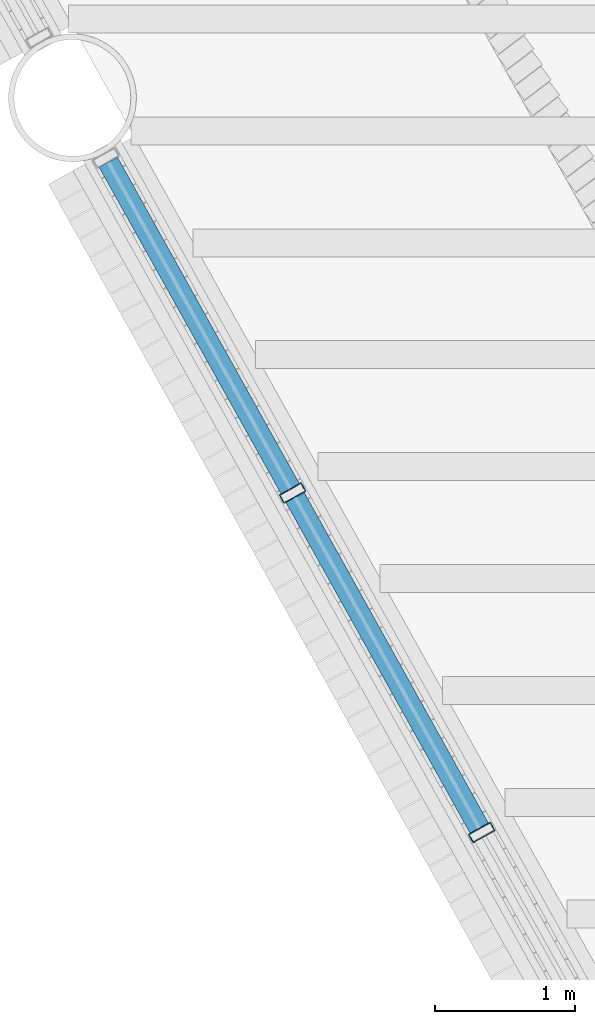
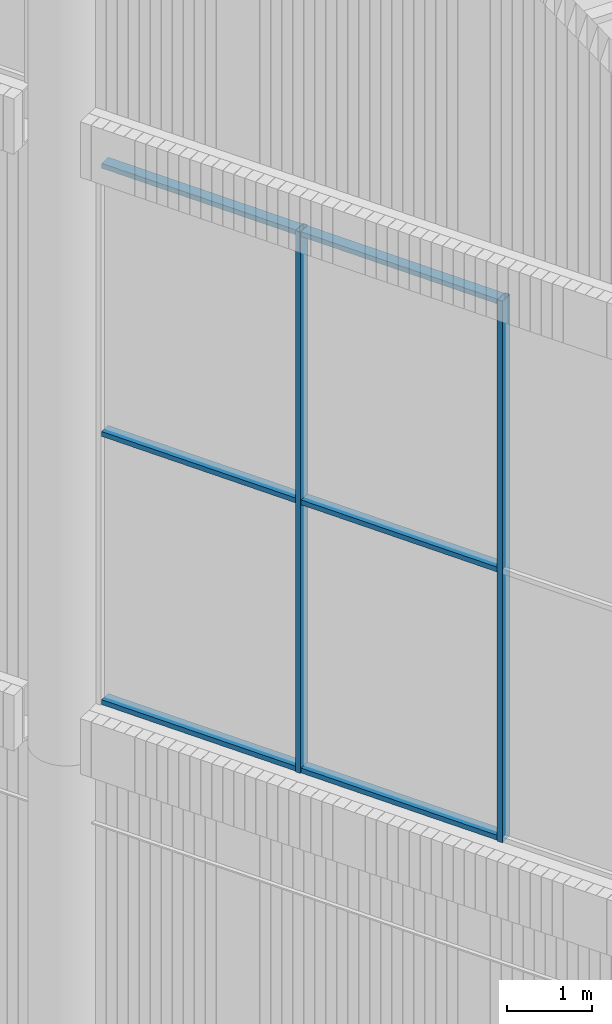
# One storey, part 6 of 117: 8 members, 1 element without a shape of its own.
"""IFC4 building model written with IfcOpenShell, lengths in metres."""

from ifc_helpers import new_model, si_unit, direction, frame, origin, origin_2d, place, context, subcontext, project, spatial, hollow_rectangle, extrude, material, layer, layer_set, material_profile, profile_set, type_object, element, aggregate, save


model = new_model("IFC4")

# Units and contexts
model_context = context("Model", 3, precision=1e-05, world=origin(), true_north=direction((0.0, 1.0)))
body_context = subcontext(model_context, "Body", "Model", "MODEL_VIEW")
ifc_project = project(units=[si_unit("LENGTHUNIT", "METRE"), si_unit("AREAUNIT", "SQUARE_METRE"), si_unit("VOLUMEUNIT", "CUBIC_METRE"), si_unit("PLANEANGLEUNIT", "RADIAN"), si_unit("MASSUNIT", "GRAM", prefix="KILO")], contexts=[model_context])

# Site, building, storey
site_placement = place(None, origin())
site = spatial("IfcSite", under=ifc_project, at=site_placement, CompositionType="ELEMENT")
building_placement = place(site_placement, origin())
building = spatial("IfcBuilding", under=site, at=building_placement, Name="Tarsis Ring Headquarters", CompositionType="ELEMENT")
storey_placement = place(building_placement, frame((0.0, 0.0, 403.60009765625)))
storey = spatial("IfcBuildingStorey", under=building, at=storey_placement, Name="L95", CompositionType="ELEMENT", Elevation=403.60009765625)

# Curtain wall, members
ifc_material_1 = material(Name="Aluminium curtain wall", Category="aluminium")
ifc_layer = layer(ifc_material_1, 0.179931640625)
ifc_layer_set = layer_set([ifc_layer], Name="Curtain wall crown glazing")
curtain_wall_type = type_object("IfcCurtainWallType", Name="Curtain wall crown glazing", PredefinedType="NOTDEFINED", material=ifc_layer_set)
curtain_wall_placement = place(storey_placement, origin())
curtain_wall = element("IfcCurtainWall", 1, at=curtain_wall_placement, inside=storey, type_object=curtain_wall_type, Name="Crown glazing L17", PredefinedType="NOTDEFINED")
ifc_material_2 = material(Name="Aluminium mullion", Category="aluminium")
ifc_material_profile_1 = material_profile(ifc_material_2, hollow_rectangle(XDim=0.179931640625, YDim=0.070068359375, WallThickness=0.0048828125, at=origin_2d()), Name="RHS 180x70x5")
ifc_profile_set_1 = profile_set([ifc_material_profile_1], Name="Aluminium mullion")
member_type_1 = type_object("IfcMemberType", Name="Crown glazing mullion RHS 180x70x5", PredefinedType="MULLION", material=ifc_profile_set_1)
member_1_placement = place(storey_placement, frame((-35.81640625, -23.653564453125, 5.7998046875), z_axis=(0.0, 0.0, 1.0), x_axis=(0.873602422445, 0.486640326625, 0.0)))
member_1 = element("IfcMember", 2, at=member_1_placement, type_object=member_type_1, Name="CW-C mullion 2", PredefinedType="MULLION", context=body_context, shape_type="SweptSolid", body=[
    extrude(hollow_rectangle(XDim=0.179931640625, YDim=0.070068359375, WallThickness=0.0048828125, at=origin_2d()), origin(), (0.0, 0.0, 1.0), 7.800048828125),
])
member_2_placement = place(storey_placement, frame((-34.46484375, -26.079833984375, 5.7998046875), z_axis=(0.0, 0.0, 1.0), x_axis=(0.873602422445, 0.486640326625, 0.0)))
member_2 = element("IfcMember", 3, at=member_2_placement, type_object=member_type_1, Name="CW-C mullion 3", PredefinedType="MULLION", context=body_context, shape_type="SweptSolid", body=[
    extrude(hollow_rectangle(XDim=0.179931640625, YDim=0.070068359375, WallThickness=0.0048828125, at=origin_2d()), origin(), (0.0, 0.0, 1.0), 7.800048828125),
])
ifc_material_3 = material(Name="Aluminium transom", Category="aluminium")
ifc_material_profile_2 = material_profile(ifc_material_3, hollow_rectangle(XDim=0.14990234375, YDim=0.070068359375, WallThickness=0.0048828125, at=origin_2d()), Name="RHS 150x70x5")
ifc_profile_set_2 = profile_set([ifc_material_profile_2], Name="Aluminium transom")
member_type_2 = type_object("IfcMemberType", Name="Crown glazing transom RHS 150x70x5", PredefinedType="USERDEFINED", material=ifc_profile_set_2)
member_3_placement = place(storey_placement, frame((-37.1337890625, -21.28857421875, 5.8349609375), z_axis=(0.486674270499, -0.873583513143, 0.0), x_axis=(0.873583513143, 0.486674270499, 0.0)))
member_3 = element("IfcMember", 4, at=member_3_placement, type_object=member_type_2, Name="CW-C transom 1.1", ObjectType="TRANSOM", PredefinedType="USERDEFINED", context=body_context, shape_type="SweptSolid", body=[
    extrude(hollow_rectangle(XDim=0.14990234375, YDim=0.070068359375, WallThickness=0.0048828125, at=origin_2d()), origin(), (0.0, 0.0, 1.0), 2.67236328125),
])
member_4_placement = place(storey_placement, frame((-37.1337890625, -21.28857421875, 9.699951171875), z_axis=(0.486674270499, -0.873583513143, 0.0), x_axis=(0.873583513143, 0.486674270499, 0.0)))
member_4 = element("IfcMember", 5, at=member_4_placement, type_object=member_type_2, Name="CW-C transom 1.2", ObjectType="TRANSOM", PredefinedType="USERDEFINED", context=body_context, shape_type="SweptSolid", body=[
    extrude(hollow_rectangle(XDim=0.14990234375, YDim=0.070068359375, WallThickness=0.0048828125, at=origin_2d()), origin(), (0.0, 0.0, 1.0), 2.67236328125),
])
member_5_placement = place(storey_placement, frame((-37.1337890625, -21.28857421875, 13.56494140625), z_axis=(0.486674270499, -0.873583513143, 0.0), x_axis=(0.873583513143, 0.486674270499, 0.0)))
member_5 = element("IfcMember", 6, at=member_5_placement, type_object=member_type_2, Name="CW-C transom 1.3", ObjectType="TRANSOM", PredefinedType="USERDEFINED", context=body_context, shape_type="SweptSolid", body=[
    extrude(hollow_rectangle(XDim=0.14990234375, YDim=0.070068359375, WallThickness=0.0048828125, at=origin_2d()), origin(), (0.0, 0.0, 1.0), 2.67236328125),
])
member_6_placement = place(storey_placement, frame((-35.79931640625, -23.68408203125, 5.8349609375), z_axis=(0.486592049497, -0.873629313477, 0.0), x_axis=(0.873629313477, 0.486592049497, 0.0)))
member_6 = element("IfcMember", 7, at=member_6_placement, type_object=member_type_2, Name="CW-C transom 2.1", ObjectType="TRANSOM", PredefinedType="USERDEFINED", context=body_context, shape_type="SweptSolid", body=[
    extrude(hollow_rectangle(XDim=0.14990234375, YDim=0.070068359375, WallThickness=0.0048828125, at=origin_2d()), origin(), (0.0, 0.0, 1.0), 2.707275390625),
])
member_7_placement = place(storey_placement, frame((-35.79931640625, -23.68408203125, 9.699951171875), z_axis=(0.486592049497, -0.873629313477, 0.0), x_axis=(0.873629313477, 0.486592049497, 0.0)))
member_7 = element("IfcMember", 8, at=member_7_placement, type_object=member_type_2, Name="CW-C transom 2.2", ObjectType="TRANSOM", PredefinedType="USERDEFINED", context=body_context, shape_type="SweptSolid", body=[
    extrude(hollow_rectangle(XDim=0.14990234375, YDim=0.070068359375, WallThickness=0.0048828125, at=origin_2d()), origin(), (0.0, 0.0, 1.0), 2.707275390625),
])
member_8_placement = place(storey_placement, frame((-35.79931640625, -23.68408203125, 13.56494140625), z_axis=(0.486592049497, -0.873629313477, 0.0), x_axis=(0.873629313477, 0.486592049497, 0.0)))
member_8 = element("IfcMember", 9, at=member_8_placement, type_object=member_type_2, Name="CW-C transom 2.3", ObjectType="TRANSOM", PredefinedType="USERDEFINED", context=body_context, shape_type="SweptSolid", body=[
    extrude(hollow_rectangle(XDim=0.14990234375, YDim=0.070068359375, WallThickness=0.0048828125, at=origin_2d()), origin(), (0.0, 0.0, 1.0), 2.707275390625),
])
aggregate(curtain_wall, [member_1, member_2, member_3, member_4, member_5, member_6, member_7, member_8])

save(model, "model.ifc")
